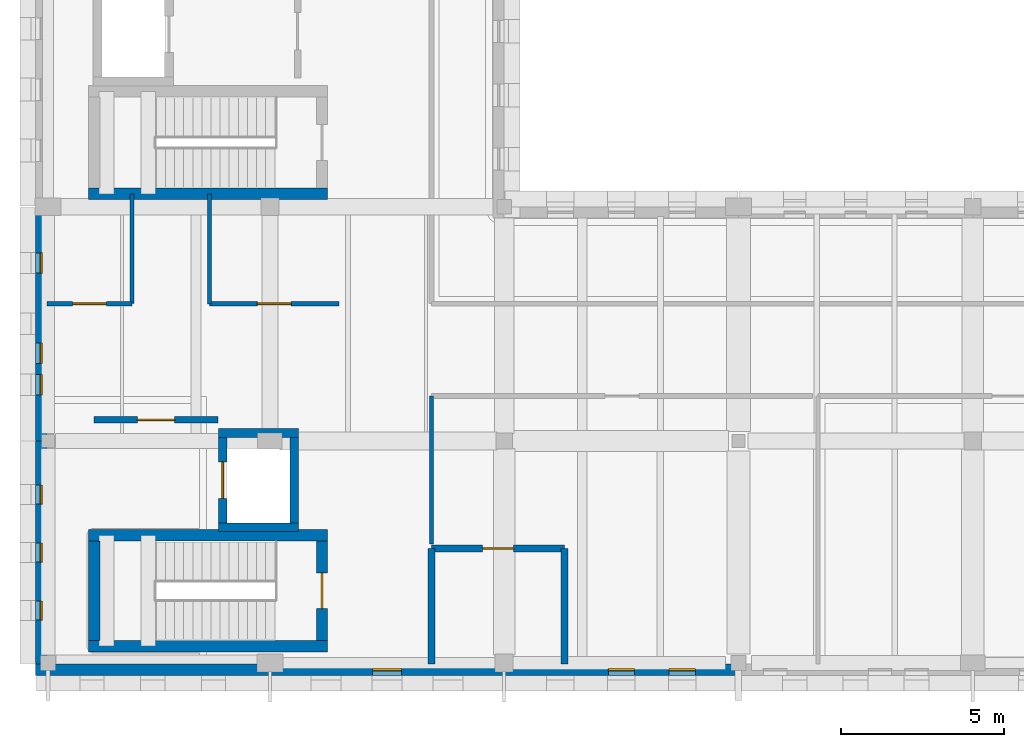
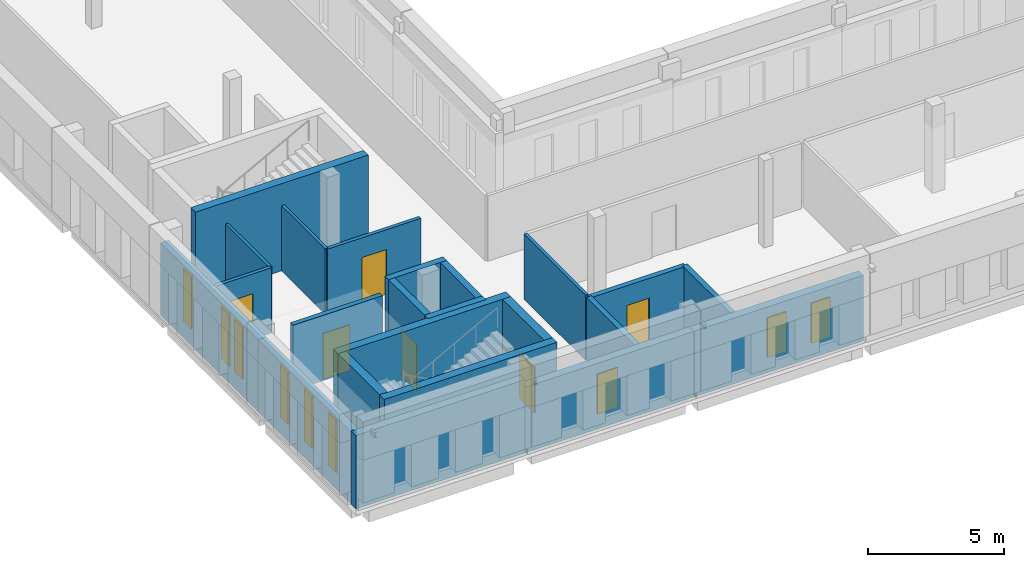
# One storey, part 19 of 34: 23 walls, 9 windows, 6 doors, 15 openings.
"""IFC4 building model written with IfcOpenShell, lengths in metres."""

from ifc_helpers import new_model, si_unit, direction, frame, frame_2d, origin, place, context, subcontext, project, spatial, rectangle, extrude, material, layer, layer_set, type_object, element, fill, save


model = new_model("IFC4")

# Units and contexts
model_context = context("Model", 3, precision=1e-05, world=origin(), true_north=direction((0.0, 1.0)))
body_context = subcontext(model_context, "Body", "Model", "MODEL_VIEW")
ifc_project = project(units=[si_unit("LENGTHUNIT", "METRE"), si_unit("AREAUNIT", "SQUARE_METRE"), si_unit("VOLUMEUNIT", "CUBIC_METRE"), si_unit("PLANEANGLEUNIT", "RADIAN"), si_unit("MASSUNIT", "GRAM", prefix="KILO")], contexts=[model_context])

# Site, building, storey
site_placement = place(None, origin())
site = spatial("IfcSite", under=ifc_project, at=site_placement, CompositionType="ELEMENT")
building_placement = place(site_placement, origin())
building = spatial("IfcBuilding", under=site, at=building_placement, Name="Vardoun Plaza Health Centre", CompositionType="ELEMENT")
storey_placement = place(building_placement, frame((0.0, 0.0, 12.89990234375)))
storey = spatial("IfcBuildingStorey", under=building, at=storey_placement, Name="L03", CompositionType="ELEMENT", Elevation=12.89990234375)

# Wall
ifc_material_1 = material(Name="Concrete C40/50", Category="concrete")
ifc_layer_1 = layer(ifc_material_1, 0.27001953125)
ifc_layer_set_1 = layer_set([ifc_layer_1], Name="Concrete C40/50")
wall_type_1 = type_object("IfcWallType", Name="SW-03", PredefinedType="SHEAR", material=ifc_layer_set_1)
wall_1_placement = place(storey_placement, frame((12.5849609375, 9.050048828125, 0.0), z_axis=(0.0, 0.0, 1.0), x_axis=(-1.0, 0.0, 0.0)))
element("IfcWall", 1, at=wall_1_placement, inside=storey, type_object=wall_type_1, Name="Lift LF-01 L03 Shaft Wall S", PredefinedType="SHEAR", context=body_context, shape_type="SweptSolid", body=[
    extrude(rectangle(XDim=2.469970703125, YDim=0.27001953125, at=frame_2d((1.23486328125, 0.0))), origin(), (0.0, 0.0, 1.0), 3.920166015625),
])

# Wall, opening, door
wall_2_placement = place(storey_placement, frame((10.25, 9.18505859375, 0.0), z_axis=(0.0, 0.0, 1.0), x_axis=(0.0, 1.0, 0.0)))
wall_2 = element("IfcWall", 2, at=wall_2_placement, inside=storey, type_object=wall_type_1, Name="Lift LF-01 L03 Shaft Wall W", PredefinedType="SHEAR", context=body_context, shape_type="SweptSolid", body=[
    extrude(rectangle(XDim=2.6298828125, YDim=0.27001953125, at=frame_2d((1.31494140625, 0.0))), origin(), (0.0, 0.0, 1.0), 3.920166015625),
])
opening_1_placement = place(wall_2_placement, frame((0.7548828125, 0.0, 0.0)))
opening_1 = element("IfcOpeningElement", 3, at=opening_1_placement, cuts=wall_2, Name="Opening LD-LF-01-L03", PredefinedType="OPENING", context=body_context, shape_type="SweptSolid", body=[
    extrude(rectangle(XDim=1.1201171875, YDim=2.10009765625, at=frame_2d((0.56005859375, 1.050048828125))), frame((0.0, 0.135009765625, 0.0), z_axis=(0.0, -1.0, 0.0), x_axis=(1.0, 0.0, 0.0)), (0.0, 0.0, 1.0), 0.27001953125),
])
ifc_material_2 = material(Name="Brushed Stainless Steel Grade 316L", Category="steel")
door_type_1 = type_object("IfcDoorType", Name="LD-01", OperationType="DOUBLE_DOOR_SLIDING", PredefinedType="DOOR", material=ifc_material_2)
door_1_placement = place(opening_1_placement, origin())
door_1 = element("IfcDoor", 4, at=door_1_placement, inside=storey, type_object=door_type_1, Name="Lift LF-01 L03 Sliding Landing Door", OperationType="DOUBLE_DOOR_SLIDING", OverallHeight=2.10009765625, OverallWidth=1.1201171875, PredefinedType="DOOR", context=body_context, shape_type="SweptSolid", body=[
    extrude(rectangle(XDim=1.1201171875, YDim=2.10009765625, at=frame_2d((0.56005859375, 1.050048828125))), frame((0.0, 0.02490234375, 0.0), z_axis=(0.0, -1.0, 0.0), x_axis=(1.0, 0.0, 0.0)), (0.0, 0.0, 1.0), 0.050048828125),
])
fill(opening_1, door_1)

# Walls
wall_3_placement = place(storey_placement, frame((10.114990234375, 11.949951171875, 0.0), z_axis=(0.0, 0.0, 1.0), x_axis=(1.0, 0.0, 0.0)))
element("IfcWall", 5, at=wall_3_placement, inside=storey, type_object=wall_type_1, Name="Lift LF-01 L03 Shaft Wall N", PredefinedType="SHEAR", context=body_context, shape_type="SweptSolid", body=[
    extrude(rectangle(XDim=2.469970703125, YDim=0.27001953125, at=frame_2d((1.23486328125, 0.0))), origin(), (0.0, 0.0, 1.0), 3.920166015625),
])
wall_4_placement = place(storey_placement, frame((12.449951171875, 11.81494140625, 0.0), z_axis=(0.0, 0.0, 1.0), x_axis=(0.0, -1.0, 0.0)))
element("IfcWall", 6, at=wall_4_placement, inside=storey, type_object=wall_type_1, Name="Lift LF-01 L03 Shaft Wall E", PredefinedType="SHEAR", context=body_context, shape_type="SweptSolid", body=[
    extrude(rectangle(XDim=2.6298828125, YDim=0.27001953125, at=frame_2d((1.31494140625, 0.0))), origin(), (0.0, 0.0, 1.0), 3.920166015625),
])
ifc_material_3 = material(Name="Concrete C40/50", Category="concrete")
ifc_layer_2 = layer(ifc_material_3, 0.35009765625)
ifc_layer_set_2 = layer_set([ifc_layer_2], Name="Concrete C40/50")
wall_type_2 = type_object("IfcWallType", Name="SW-02", PredefinedType="SHEAR", material=ifc_layer_set_2)
wall_5_placement = place(storey_placement, frame((13.47509765625, 5.39990234375, 0.0), z_axis=(0.0, 0.0, 1.0), x_axis=(-1.0, 0.0, 0.0)))
element("IfcWall", 7, at=wall_5_placement, inside=storey, type_object=wall_type_2, Name="Core C1 L03 Shear Wall S", PredefinedType="SHEAR", context=body_context, shape_type="SweptSolid", body=[
    extrude(rectangle(XDim=7.35009765625, YDim=0.35009765625, at=frame_2d((3.675048828125, 0.0))), origin(), (0.0, 0.0, 1.0), 3.920166015625),
])
wall_6_placement = place(storey_placement, frame((6.300048828125, 5.574951171875, 0.0), z_axis=(0.0, 0.0, 1.0), x_axis=(0.0, 1.0, 0.0)))
element("IfcWall", 8, at=wall_6_placement, inside=storey, type_object=wall_type_2, Name="Core C1 L03 Shear Wall W", PredefinedType="SHEAR", context=body_context, shape_type="SweptSolid", body=[
    extrude(rectangle(XDim=3.050048828125, YDim=0.35009765625, at=frame_2d((1.52490234375, 0.0))), origin(), (0.0, 0.0, 1.0), 3.920166015625),
])
wall_7_placement = place(storey_placement, frame((6.125, 8.800048828125, 0.0), z_axis=(0.0, 0.0, 1.0), x_axis=(1.0, 0.0, 0.0)))
element("IfcWall", 9, at=wall_7_placement, inside=storey, type_object=wall_type_2, Name="Core C1 L03 Shear Wall N", PredefinedType="SHEAR", context=body_context, shape_type="SweptSolid", body=[
    extrude(rectangle(XDim=7.35009765625, YDim=0.35009765625, at=frame_2d((3.675048828125, 0.0))), origin(), (0.0, 0.0, 1.0), 3.920166015625),
])

# Wall, opening, door
wall_8_placement = place(storey_placement, frame((13.300048828125, 8.625, 0.0), z_axis=(0.0, 0.0, 1.0), x_axis=(0.0, -1.0, 0.0)))
wall_8 = element("IfcWall", 10, at=wall_8_placement, inside=storey, type_object=wall_type_2, Name="Core C1 L03 Shear Wall E", PredefinedType="SHEAR", context=body_context, shape_type="SweptSolid", body=[
    extrude(rectangle(XDim=3.050048828125, YDim=0.35009765625, at=frame_2d((1.52490234375, 0.0))), origin(), (0.0, 0.0, 1.0), 3.920166015625),
])
opening_2_placement = place(wall_8_placement, frame((0.97509765625, 0.0, 0.0)))
opening_2 = element("IfcOpeningElement", 11, at=opening_2_placement, cuts=wall_8, Name="Opening SD-C1-L03", PredefinedType="OPENING", context=body_context, shape_type="SweptSolid", body=[
    extrude(rectangle(XDim=1.10009765625, YDim=2.050048828125, at=frame_2d((0.550048828125, 1.02490234375))), frame((0.0, 0.175048828125, 0.0), z_axis=(0.0, -1.0, 0.0), x_axis=(1.0, 0.0, 0.0)), (0.0, 0.0, 1.0), 0.35009765625),
])
ifc_material_4 = material(Name="Brushed Stainless Steel Grade 316L", Category="steel")
door_type_2 = type_object("IfcDoorType", Name="FD-01", OperationType="NOTDEFINED", PredefinedType="DOOR", material=ifc_material_4)
door_2_placement = place(opening_2_placement, origin())
door_2 = element("IfcDoor", 12, at=door_2_placement, inside=storey, type_object=door_type_2, Name="Stair C1 L03 Fire Door", OperationType="SINGLE_SWING_LEFT", OverallHeight=2.050048828125, OverallWidth=1.10009765625, PredefinedType="DOOR", context=body_context, shape_type="SweptSolid", body=[
    extrude(rectangle(XDim=1.10009765625, YDim=2.050048828125, at=frame_2d((0.550048828125, 1.02490234375))), frame((0.0, 0.02490234375, 0.0), z_axis=(0.0, -1.0, 0.0), x_axis=(1.0, 0.0, 0.0)), (0.0, 0.0, 1.0), 0.050048828125),
])
fill(opening_2, door_2)

# Wall
wall_9_placement = place(storey_placement, frame((13.47509765625, 19.300048828125, 0.0), z_axis=(0.0, 0.0, 1.0), x_axis=(-1.0, 0.0, 0.0)))
element("IfcWall", 13, at=wall_9_placement, inside=storey, type_object=wall_type_2, Name="Core C2 L03 Shear Wall S", PredefinedType="SHEAR", context=body_context, shape_type="SweptSolid", body=[
    extrude(rectangle(XDim=7.35009765625, YDim=0.35009765625, at=frame_2d((3.675048828125, 0.0))), origin(), (0.0, 0.0, 1.0), 3.920166015625),
])

# Wall, openings, windows
ifc_material_5 = material(Name="Pale Limestone Concrete C35/45", Category="masonry")
ifc_layer_3 = layer(ifc_material_5, 0.344970703125)
ifc_layer_set_3 = layer_set([ifc_layer_3], Name="Pale Limestone Concrete C35/45")
wall_type_3 = type_object("IfcWallType", Name="EW-01", PredefinedType="SOLIDWALL", material=ifc_layer_set_3)
wall_10_placement = place(storey_placement, frame((26.10009765625, 4.672607421875, 0.0), z_axis=(0.0, 0.0, 1.0), x_axis=(-1.0, 0.0, 0.0)))
wall_10 = element("IfcWall", 14, at=wall_10_placement, inside=storey, type_object=wall_type_3, Name="V2 L03 Exterior Wall EW-V2-168", PredefinedType="SOLIDWALL", context=body_context, shape_type="SweptSolid", body=[
    extrude(rectangle(XDim=7.2001953125, YDim=0.344970703125, at=frame_2d((3.60009765625, 0.0))), origin(), (0.0, 0.0, 1.0), 2.955078125),
])
opening_3_placement = place(wall_10_placement, frame((1.327880859375, 0.0, 0.550048828125)))
opening_3 = element("IfcOpeningElement", 15, at=opening_3_placement, cuts=wall_10, Name="Opening W-27-009", PredefinedType="OPENING", context=body_context, shape_type="SweptSolid", body=[
    extrude(rectangle(XDim=0.800048828125, YDim=1.800048828125, at=frame_2d((0.39990234375, 0.89990234375))), frame((0.0, 0.17236328125, 0.0), z_axis=(0.0, -1.0, 0.0), x_axis=(1.0, 0.0, 0.0)), (0.0, 0.0, 1.0), 0.344970703125),
])
opening_4_placement = place(wall_10_placement, frame((3.199951171875, 0.0, 0.550048828125)))
opening_4 = element("IfcOpeningElement", 16, at=opening_4_placement, cuts=wall_10, Name="Opening W-27-010", PredefinedType="OPENING", context=body_context, shape_type="SweptSolid", body=[
    extrude(rectangle(XDim=0.800048828125, YDim=1.800048828125, at=frame_2d((0.39990234375, 0.89990234375))), frame((0.0, 0.17236328125, 0.0), z_axis=(0.0, -1.0, 0.0), x_axis=(1.0, 0.0, 0.0)), (0.0, 0.0, 1.0), 0.344970703125),
])
ifc_material_6 = material(Name="Aluminium Alloy EN AW-6063-T6 and Low-E Glass", Category="aluminium")
window_type_1 = type_object("IfcWindowType", Name="W-27", PartitioningType="SINGLE_PANEL", PredefinedType="WINDOW", material=ifc_material_6)
window_1_placement = place(opening_3_placement, origin())
window_1 = element("IfcWindow", 17, at=window_1_placement, inside=storey, type_object=window_type_1, Name="V2 L03 Deep-Punched Slot Window W-27-212", OverallHeight=1.800048828125, OverallWidth=0.800048828125, PartitioningType="SINGLE_PANEL", PredefinedType="WINDOW", context=body_context, shape_type="SweptSolid", body=[
    extrude(rectangle(XDim=0.800048828125, YDim=1.800048828125, at=frame_2d((0.39990234375, 0.89990234375))), frame((0.0, 0.030029296875, 0.0), z_axis=(0.0, -1.0, 0.0), x_axis=(1.0, 0.0, 0.0)), (0.0, 0.0, 1.0), 0.06005859375),
])
fill(opening_3, window_1)
window_2_placement = place(opening_4_placement, origin())
window_2 = element("IfcWindow", 18, at=window_2_placement, inside=storey, type_object=window_type_1, Name="V2 L03 Deep-Punched Slot Window W-27-213", OverallHeight=1.800048828125, OverallWidth=0.800048828125, PartitioningType="SINGLE_PANEL", PredefinedType="WINDOW", context=body_context, shape_type="SweptSolid", body=[
    extrude(rectangle(XDim=0.800048828125, YDim=1.800048828125, at=frame_2d((0.39990234375, 0.89990234375))), frame((0.0, 0.030029296875, 0.0), z_axis=(0.0, -1.0, 0.0), x_axis=(1.0, 0.0, 0.0)), (0.0, 0.0, 1.0), 0.06005859375),
])
fill(opening_4, window_2)

# Wall, opening, window
wall_11_placement = place(storey_placement, frame((18.89990234375, 4.672607421875, 0.0), z_axis=(0.0, 0.0, 1.0), x_axis=(-1.0, 0.0, 0.0)))
wall_11 = element("IfcWall", 19, at=wall_11_placement, inside=storey, type_object=wall_type_3, Name="V2 L03 Exterior Wall EW-V2-169", PredefinedType="SOLIDWALL", context=body_context, shape_type="SweptSolid", body=[
    extrude(rectangle(XDim=7.199951171875, YDim=0.344970703125, at=frame_2d((3.60009765625, 0.0))), origin(), (0.0, 0.0, 1.0), 2.955078125),
])
opening_5_placement = place(wall_11_placement, frame((3.159912109375, 0.0, 0.550048828125)))
opening_5 = element("IfcOpeningElement", 20, at=opening_5_placement, cuts=wall_11, Name="Opening W-28-007", PredefinedType="OPENING", context=body_context, shape_type="SweptSolid", body=[
    extrude(rectangle(XDim=0.8798828125, YDim=1.800048828125, at=frame_2d((0.43994140625, 0.89990234375))), frame((0.0, 0.17236328125, 0.0), z_axis=(0.0, -1.0, 0.0), x_axis=(1.0, 0.0, 0.0)), (0.0, 0.0, 1.0), 0.344970703125),
])
ifc_material_7 = material(Name="Aluminium Alloy EN AW-6063-T6 and Low-E Glass", Category="aluminium")
window_type_2 = type_object("IfcWindowType", Name="W-28", PartitioningType="SINGLE_PANEL", PredefinedType="WINDOW", material=ifc_material_7)
window_3_placement = place(opening_5_placement, origin())
window_3 = element("IfcWindow", 21, at=window_3_placement, inside=storey, type_object=window_type_2, Name="V2 L03 Deep-Punched Slot Window W-28-216", OverallHeight=1.800048828125, OverallWidth=0.8798828125, PartitioningType="SINGLE_PANEL", PredefinedType="WINDOW", context=body_context, shape_type="SweptSolid", body=[
    extrude(rectangle(XDim=0.8798828125, YDim=1.800048828125, at=frame_2d((0.43994140625, 0.89990234375))), frame((0.0, 0.030029296875, 0.0), z_axis=(0.0, -1.0, 0.0), x_axis=(1.0, 0.0, 0.0)), (0.0, 0.0, 1.0), 0.06005859375),
])
fill(opening_5, window_3)

# Wall
wall_12_placement = place(storey_placement, frame((11.699951171875, 4.672607421875, 0.0), z_axis=(0.0, 0.0, 1.0), x_axis=(-1.0, 0.0, 0.0)))
element("IfcWall", 22, at=wall_12_placement, inside=storey, type_object=wall_type_3, Name="V2 L03 Exterior Wall EW-V2-170", PredefinedType="SOLIDWALL", context=body_context, shape_type="SweptSolid", body=[
    extrude(rectangle(XDim=7.199951171875, YDim=0.344970703125, at=frame_2d((3.60009765625, 0.0))), origin(), (0.0, 0.0, 1.0), 3.30517578125),
])

# Wall, openings, windows
wall_13_placement = place(storey_placement, frame((4.672607421875, 4.844970703125, 0.0), z_axis=(0.0, 0.0, 1.0), x_axis=(0.0, 1.0, 0.0)))
wall_13 = element("IfcWall", 23, at=wall_13_placement, inside=storey, type_object=wall_type_3, Name="V2 L03 Exterior Wall EW-V2-171", PredefinedType="SOLIDWALL", context=body_context, shape_type="SweptSolid", body=[
    extrude(rectangle(XDim=6.85498046875, YDim=0.344970703125, at=frame_2d((3.427490234375, 0.0))), origin(), (0.0, 0.0, 1.0), 3.255126953125),
])
opening_6_placement = place(wall_13_placement, frame((1.355224609375, 0.0, 0.550048828125)))
opening_6 = element("IfcOpeningElement", 24, at=opening_6_placement, cuts=wall_13, Name="Opening W-01-004", PredefinedType="OPENING", context=body_context, shape_type="SweptSolid", body=[
    extrude(rectangle(XDim=0.580078125, YDim=2.35009765625, at=frame_2d((0.2900390625, 1.175048828125))), frame((0.0, 0.17236328125, 0.0), z_axis=(0.0, -1.0, 0.0), x_axis=(1.0, 0.0, 0.0)), (0.0, 0.0, 1.0), 0.344970703125),
])
opening_7_placement = place(wall_13_placement, frame((3.137451171875, 0.0, 0.550048828125)))
opening_7 = element("IfcOpeningElement", 25, at=opening_7_placement, cuts=wall_13, Name="Opening W-01-005", PredefinedType="OPENING", context=body_context, shape_type="SweptSolid", body=[
    extrude(rectangle(XDim=0.580078125, YDim=2.35009765625, at=frame_2d((0.2900390625, 1.175048828125))), frame((0.0, 0.17236328125, 0.0), z_axis=(0.0, -1.0, 0.0), x_axis=(1.0, 0.0, 0.0)), (0.0, 0.0, 1.0), 0.344970703125),
])
opening_8_placement = place(wall_13_placement, frame((4.919921875, 0.0, 0.550048828125)))
opening_8 = element("IfcOpeningElement", 26, at=opening_8_placement, cuts=wall_13, Name="Opening W-01-006", PredefinedType="OPENING", context=body_context, shape_type="SweptSolid", body=[
    extrude(rectangle(XDim=0.580078125, YDim=2.35009765625, at=frame_2d((0.2900390625, 1.175048828125))), frame((0.0, 0.17236328125, 0.0), z_axis=(0.0, -1.0, 0.0), x_axis=(1.0, 0.0, 0.0)), (0.0, 0.0, 1.0), 0.344970703125),
])
ifc_material_8 = material(Name="Aluminium Alloy EN AW-6063-T6 and Low-E Glass", Category="aluminium")
window_type_3 = type_object("IfcWindowType", Name="W-01", PartitioningType="SINGLE_PANEL", PredefinedType="WINDOW", material=ifc_material_8)
window_4_placement = place(opening_6_placement, origin())
window_4 = element("IfcWindow", 27, at=window_4_placement, inside=storey, type_object=window_type_3, Name="V2 L03 Deep-Punched Slot Window W-01-221", OverallHeight=2.35009765625, OverallWidth=0.580078125, PartitioningType="SINGLE_PANEL", PredefinedType="WINDOW", context=body_context, shape_type="SweptSolid", body=[
    extrude(rectangle(XDim=0.580078125, YDim=2.35009765625, at=frame_2d((0.2900390625, 1.175048828125))), frame((0.0, 0.030029296875, 0.0), z_axis=(0.0, -1.0, 0.0), x_axis=(1.0, 0.0, 0.0)), (0.0, 0.0, 1.0), 0.06005859375),
])
fill(opening_6, window_4)
window_5_placement = place(opening_7_placement, origin())
window_5 = element("IfcWindow", 28, at=window_5_placement, inside=storey, type_object=window_type_3, Name="V2 L03 Deep-Punched Slot Window W-01-222", OverallHeight=2.35009765625, OverallWidth=0.580078125, PartitioningType="SINGLE_PANEL", PredefinedType="WINDOW", context=body_context, shape_type="SweptSolid", body=[
    extrude(rectangle(XDim=0.580078125, YDim=2.35009765625, at=frame_2d((0.2900390625, 1.175048828125))), frame((0.0, 0.030029296875, 0.0), z_axis=(0.0, -1.0, 0.0), x_axis=(1.0, 0.0, 0.0)), (0.0, 0.0, 1.0), 0.06005859375),
])
fill(opening_7, window_5)
window_6_placement = place(opening_8_placement, origin())
window_6 = element("IfcWindow", 29, at=window_6_placement, inside=storey, type_object=window_type_3, Name="V2 L03 Deep-Punched Slot Window W-01-223", OverallHeight=2.35009765625, OverallWidth=0.580078125, PartitioningType="SINGLE_PANEL", PredefinedType="WINDOW", context=body_context, shape_type="SweptSolid", body=[
    extrude(rectangle(XDim=0.580078125, YDim=2.35009765625, at=frame_2d((0.2900390625, 1.175048828125))), frame((0.0, 0.030029296875, 0.0), z_axis=(0.0, -1.0, 0.0), x_axis=(1.0, 0.0, 0.0)), (0.0, 0.0, 1.0), 0.06005859375),
])
fill(opening_8, window_6)

wall_14_placement = place(storey_placement, frame((4.672607421875, 11.699951171875, 0.0), z_axis=(0.0, 0.0, 1.0), x_axis=(0.0, 1.0, 0.0)))
wall_14 = element("IfcWall", 30, at=wall_14_placement, inside=storey, type_object=wall_type_3, Name="V2 L03 Exterior Wall EW-V2-172", PredefinedType="SOLIDWALL", context=body_context, shape_type="SweptSolid", body=[
    extrude(rectangle(XDim=7.199951171875, YDim=0.344970703125, at=frame_2d((3.60009765625, 0.0))), origin(), (0.0, 0.0, 1.0), 3.255126953125),
])
opening_9_placement = place(wall_14_placement, frame((1.41796875, 0.0, 0.550048828125)))
opening_9 = element("IfcOpeningElement", 31, at=opening_9_placement, cuts=wall_14, Name="Opening W-02-007", PredefinedType="OPENING", context=body_context, shape_type="SweptSolid", body=[
    extrude(rectangle(XDim=0.6201171875, YDim=2.35009765625, at=frame_2d((0.31005859375, 1.175048828125))), frame((0.0, 0.17236328125, 0.0), z_axis=(0.0, -1.0, 0.0), x_axis=(1.0, 0.0, 0.0)), (0.0, 0.0, 1.0), 0.344970703125),
])
opening_10_placement = place(wall_14_placement, frame((2.389892578125, 0.0, 0.550048828125)))
opening_10 = element("IfcOpeningElement", 32, at=opening_10_placement, cuts=wall_14, Name="Opening W-02-008", PredefinedType="OPENING", context=body_context, shape_type="SweptSolid", body=[
    extrude(rectangle(XDim=0.6201171875, YDim=2.35009765625, at=frame_2d((0.31005859375, 1.175048828125))), frame((0.0, 0.17236328125, 0.0), z_axis=(0.0, -1.0, 0.0), x_axis=(1.0, 0.0, 0.0)), (0.0, 0.0, 1.0), 0.344970703125),
])
opening_11_placement = place(wall_14_placement, frame((5.162109375, 0.0, 0.550048828125)))
opening_11 = element("IfcOpeningElement", 33, at=opening_11_placement, cuts=wall_14, Name="Opening W-02-009", PredefinedType="OPENING", context=body_context, shape_type="SweptSolid", body=[
    extrude(rectangle(XDim=0.6201171875, YDim=2.35009765625, at=frame_2d((0.31005859375, 1.175048828125))), frame((0.0, 0.17236328125, 0.0), z_axis=(0.0, -1.0, 0.0), x_axis=(1.0, 0.0, 0.0)), (0.0, 0.0, 1.0), 0.344970703125),
])
ifc_material_9 = material(Name="Aluminium Alloy EN AW-6063-T6 and Low-E Glass", Category="aluminium")
window_type_4 = type_object("IfcWindowType", Name="W-02", PartitioningType="SINGLE_PANEL", PredefinedType="WINDOW", material=ifc_material_9)
window_7_placement = place(opening_9_placement, origin())
window_7 = element("IfcWindow", 34, at=window_7_placement, inside=storey, type_object=window_type_4, Name="V2 L03 Deep-Punched Slot Window W-02-224", OverallHeight=2.35009765625, OverallWidth=0.6201171875, PartitioningType="SINGLE_PANEL", PredefinedType="WINDOW", context=body_context, shape_type="SweptSolid", body=[
    extrude(rectangle(XDim=0.6201171875, YDim=2.35009765625, at=frame_2d((0.31005859375, 1.175048828125))), frame((0.0, 0.030029296875, 0.0), z_axis=(0.0, -1.0, 0.0), x_axis=(1.0, 0.0, 0.0)), (0.0, 0.0, 1.0), 0.06005859375),
])
fill(opening_9, window_7)
window_8_placement = place(opening_10_placement, origin())
window_8 = element("IfcWindow", 35, at=window_8_placement, inside=storey, type_object=window_type_4, Name="V2 L03 Deep-Punched Slot Window W-02-225", OverallHeight=2.35009765625, OverallWidth=0.6201171875, PartitioningType="SINGLE_PANEL", PredefinedType="WINDOW", context=body_context, shape_type="SweptSolid", body=[
    extrude(rectangle(XDim=0.6201171875, YDim=2.35009765625, at=frame_2d((0.31005859375, 1.175048828125))), frame((0.0, 0.030029296875, 0.0), z_axis=(0.0, -1.0, 0.0), x_axis=(1.0, 0.0, 0.0)), (0.0, 0.0, 1.0), 0.06005859375),
])
fill(opening_10, window_8)
window_9_placement = place(opening_11_placement, origin())
window_9 = element("IfcWindow", 36, at=window_9_placement, inside=storey, type_object=window_type_4, Name="V2 L03 Deep-Punched Slot Window W-02-226", OverallHeight=2.35009765625, OverallWidth=0.6201171875, PartitioningType="SINGLE_PANEL", PredefinedType="WINDOW", context=body_context, shape_type="SweptSolid", body=[
    extrude(rectangle(XDim=0.6201171875, YDim=2.35009765625, at=frame_2d((0.31005859375, 1.175048828125))), frame((0.0, 0.030029296875, 0.0), z_axis=(0.0, -1.0, 0.0), x_axis=(1.0, 0.0, 0.0)), (0.0, 0.0, 1.0), 0.06005859375),
])
fill(opening_11, window_9)

# Wall, opening, door
ifc_material_10 = material(Name="Acoustic Gypsum Twin-Stud", Category="steel")
ifc_layer_4 = layer(ifc_material_10, 0.14990234375)
ifc_layer_set_4 = layer_set([ifc_layer_4], Name="Acoustic Gypsum Twin-Stud")
wall_type_4 = type_object("IfcWallType", Name="IW-04", PredefinedType="PARTITIONING", material=ifc_layer_set_4)
wall_15_placement = place(storey_placement, frame((13.830078125, 15.919921875, 0.0), z_axis=(0.0, 0.0, 1.0), x_axis=(-1.0, 0.0, 0.0)))
wall_15 = element("IfcWall", 37, at=wall_15_placement, inside=storey, type_object=wall_type_4, Name="Specialist Consulting Room 31 Partition Wall", PredefinedType="PARTITIONING", context=body_context, shape_type="SweptSolid", body=[
    extrude(rectangle(XDim=3.989990234375, YDim=0.14990234375, at=frame_2d((1.9951171875, 0.0))), origin(), (0.0, 0.0, 1.0), 2.940185546875),
])
opening_12_placement = place(wall_15_placement, frame((1.47509765625, 0.0, 0.0)))
opening_12 = element("IfcOpeningElement", 38, at=opening_12_placement, cuts=wall_15, Name="Opening D-L03-052", PredefinedType="OPENING", context=body_context, shape_type="SweptSolid", body=[
    extrude(rectangle(XDim=1.0400390625, YDim=2.050048828125, at=frame_2d((0.52001953125, 1.02490234375))), frame((0.0, 0.074951171875, 0.0), z_axis=(0.0, -1.0, 0.0), x_axis=(1.0, 0.0, 0.0)), (0.0, 0.0, 1.0), 0.14990234375),
])
ifc_material_11 = material(Name="Antimicrobial Acoustic Timber and Steel S275JR", Category="steel")
door_type_3 = type_object("IfcDoorType", Name="CD-04", OperationType="NOTDEFINED", PredefinedType="DOOR", material=ifc_material_11)
door_3_placement = place(opening_12_placement, origin())
door_3 = element("IfcDoor", 39, at=door_3_placement, inside=storey, type_object=door_type_3, Name="Specialist Consulting Room 31 Door D-L03-052", OperationType="SINGLE_SWING_RIGHT", OverallHeight=2.050048828125, OverallWidth=1.0400390625, PredefinedType="DOOR", context=body_context, shape_type="SweptSolid", body=[
    extrude(rectangle(XDim=1.0400390625, YDim=2.050048828125, at=frame_2d((0.52001953125, 1.02490234375))), frame((0.0, 0.02490234375, 0.0), z_axis=(0.0, -1.0, 0.0), x_axis=(1.0, 0.0, 0.0)), (0.0, 0.0, 1.0), 0.050048828125),
])
fill(opening_12, door_3)

wall_16_placement = place(storey_placement, frame((7.4599609375, 15.919921875, 0.0), z_axis=(0.0, 0.0, 1.0), x_axis=(-1.0, 0.0, 0.0)))
wall_16 = element("IfcWall", 40, at=wall_16_placement, inside=storey, type_object=wall_type_4, Name="Orthopaedic Cast and Fracture Room Partition Wall", PredefinedType="PARTITIONING", context=body_context, shape_type="SweptSolid", body=[
    extrude(rectangle(XDim=2.60986328125, YDim=0.14990234375, at=frame_2d((1.304931640625, 0.0))), origin(), (0.0, 0.0, 1.0), 2.940185546875),
])
opening_13_placement = place(wall_16_placement, frame((0.784912109375, 0.0, 0.0)))
opening_13 = element("IfcOpeningElement", 41, at=opening_13_placement, cuts=wall_16, Name="Opening D-L03-054", PredefinedType="OPENING", context=body_context, shape_type="SweptSolid", body=[
    extrude(rectangle(XDim=1.0400390625, YDim=2.050048828125, at=frame_2d((0.52001953125, 1.02490234375))), frame((0.0, 0.074951171875, 0.0), z_axis=(0.0, -1.0, 0.0), x_axis=(1.0, 0.0, 0.0)), (0.0, 0.0, 1.0), 0.14990234375),
])
door_4_placement = place(opening_13_placement, origin())
door_4 = element("IfcDoor", 42, at=door_4_placement, inside=storey, type_object=door_type_3, Name="Orthopaedic Cast and Fracture Room Door D-L03-054", OperationType="SINGLE_SWING_RIGHT", OverallHeight=2.050048828125, OverallWidth=1.0400390625, PredefinedType="DOOR", context=body_context, shape_type="SweptSolid", body=[
    extrude(rectangle(XDim=1.0400390625, YDim=2.050048828125, at=frame_2d((0.52001953125, 1.02490234375))), frame((0.0, 0.02490234375, 0.0), z_axis=(0.0, -1.0, 0.0), x_axis=(1.0, 0.0, 0.0)), (0.0, 0.0, 1.0), 0.050048828125),
])
fill(opening_13, door_4)

# Walls
ifc_material_12 = material(Name="Standard Clinical Sub-Partition", Category="steel")
ifc_layer_5 = layer(ifc_material_12, 0.125)
ifc_layer_set_5 = layer_set([ifc_layer_5], Name="Standard Clinical Sub-Partition")
wall_type_5 = type_object("IfcWallType", Name="IW-11", PredefinedType="PARTITIONING", material=ifc_layer_set_5)
for number, where, z_axis, x_axis, name in (
    (43, (9.840087890625, 15.919921875, 0.0), (0.0, 0.0, 1.0), (0.0, 1.0, 0.0), "Specialist Consulting Room 31 Enclosure Partition"),
    (44, (7.4599609375, 19.300048828125, 0.0), (0.0, 0.0, 1.0), (0.0, -1.0, 0.0), "Orthopaedic Cast and Fracture Room Enclosure Partition"),
):
    element("IfcWall", number, at=place(storey_placement, frame(where, z_axis=z_axis, x_axis=x_axis)), inside=storey, type_object=wall_type_5, Name=name, PredefinedType="PARTITIONING", context=body_context, shape_type="SweptSolid", body=[
        extrude(rectangle(XDim=3.380126953125, YDim=0.125, at=frame_2d((1.68994140625, 0.0))), origin(), (0.0, 0.0, 1.0), 2.940185546875),
    ])
wall_17_placement = place(storey_placement, frame((16.669921875, 8.541015625, 0.0), z_axis=(0.0, 0.0, 1.0), x_axis=(0.0, 1.0, 0.0)))
element("IfcWall", 45, at=wall_17_placement, inside=storey, type_object=wall_type_5, Name="Terrace Waiting Lounge L03 Enclosure Partition", PredefinedType="PARTITIONING", context=body_context, shape_type="SweptSolid", body=[
    extrude(rectangle(XDim=4.5390625, YDim=0.125, at=frame_2d((2.26953125, 0.0))), origin(), (0.0, 0.0, 1.0), 2.940185546875),
])

# Wall, opening, door
ifc_material_13 = material(Name="Concrete C35/45", Category="concrete")
ifc_layer_6 = layer(ifc_material_13, 0.199951171875)
ifc_layer_set_6 = layer_set([ifc_layer_6], Name="Concrete C35/45")
wall_type_6 = type_object("IfcWallType", Name="IW-01", PredefinedType="SOLIDWALL", material=ifc_layer_set_6)
wall_18_placement = place(storey_placement, frame((6.300048828125, 12.35009765625, 0.0), z_axis=(0.0, 0.0, 1.0), x_axis=(1.0, 0.0, 0.0)))
wall_18 = element("IfcWall", 46, at=wall_18_placement, inside=storey, type_object=wall_type_6, Name="Firefighting Lobby C1 L03 Wall", PredefinedType="SOLIDWALL", context=body_context, shape_type="SweptSolid", body=[
    extrude(rectangle(XDim=3.800048828125, YDim=0.199951171875, at=frame_2d((1.89990234375, 0.0))), origin(), (0.0, 0.0, 1.0), 2.940185546875),
])
opening_14_placement = place(wall_18_placement, frame((1.324951171875, 0.0, 0.0)))
opening_14 = element("IfcOpeningElement", 47, at=opening_14_placement, cuts=wall_18, Name="Opening FD-FF-C1-L03", PredefinedType="OPENING", context=body_context, shape_type="SweptSolid", body=[
    extrude(rectangle(XDim=1.14990234375, YDim=2.050048828125, at=frame_2d((0.574951171875, 1.02490234375))), frame((0.0, 0.10009765625, 0.0), z_axis=(0.0, -1.0, 0.0), x_axis=(1.0, 0.0, 0.0)), (0.0, 0.0, 1.0), 0.199951171875),
])
ifc_material_14 = material(Name="Antimicrobial Acoustic Timber and Steel S275JR", Category="steel")
door_type_4 = type_object("IfcDoorType", Name="FD-02", OperationType="NOTDEFINED", PredefinedType="DOOR", material=ifc_material_14)
door_5_placement = place(opening_14_placement, origin())
door_5 = element("IfcDoor", 48, at=door_5_placement, inside=storey, type_object=door_type_4, Name="Firefighting Lobby C1 L03 Fire Door", OperationType="SINGLE_SWING_RIGHT", OverallHeight=2.050048828125, OverallWidth=1.14990234375, PredefinedType="DOOR", context=body_context, shape_type="SweptSolid", body=[
    extrude(rectangle(XDim=1.14990234375, YDim=2.050048828125, at=frame_2d((0.574951171875, 1.02490234375))), frame((0.0, 0.02490234375, 0.0), z_axis=(0.0, -1.0, 0.0), x_axis=(1.0, 0.0, 0.0)), (0.0, 0.0, 1.0), 0.050048828125),
])
fill(opening_14, door_5)

ifc_material_15 = material(Name="Moisture-Resistant Plumbing Chase", Category="steel")
ifc_layer_7 = layer(ifc_material_15, 0.215087890625)
ifc_layer_set_7 = layer_set([ifc_layer_7], Name="Moisture-Resistant Plumbing Chase")
wall_type_7 = type_object("IfcWallType", Name="IW-06", PredefinedType="PLUMBINGWALL", material=ifc_layer_set_7)
wall_19_placement = place(storey_placement, frame((16.669921875, 8.40087890625, 0.0), z_axis=(0.0, 0.0, 1.0), x_axis=(1.0, 0.0, 0.0)))
wall_19 = element("IfcWall", 49, at=wall_19_placement, inside=storey, type_object=wall_type_7, Name="Accessible WC L03-V2 Partition Wall", PredefinedType="PLUMBINGWALL", context=body_context, shape_type="SweptSolid", body=[
    extrude(rectangle(XDim=4.08349609375, YDim=0.215087890625, at=frame_2d((2.041748046875, 0.0))), origin(), (0.0, 0.0, 1.0), 2.940185546875),
])
opening_15_placement = place(wall_19_placement, frame((1.566650390625, 0.0, 0.0)))
opening_15 = element("IfcOpeningElement", 50, at=opening_15_placement, cuts=wall_19, Name="Opening D-L03-051", PredefinedType="OPENING", context=body_context, shape_type="SweptSolid", body=[
    extrude(rectangle(XDim=0.949951171875, YDim=2.050048828125, at=frame_2d((0.47509765625, 1.02490234375))), frame((0.0, 0.107421875, 0.0), z_axis=(0.0, -1.0, 0.0), x_axis=(1.0, 0.0, 0.0)), (0.0, 0.0, 1.0), 0.215087890625),
])
ifc_material_16 = material(Name="Antimicrobial Acoustic Timber and Steel S275JR", Category="steel")
door_type_5 = type_object("IfcDoorType", Name="CD-07", OperationType="NOTDEFINED", PredefinedType="DOOR", material=ifc_material_16)
door_6_placement = place(opening_15_placement, origin())
door_6 = element("IfcDoor", 51, at=door_6_placement, inside=storey, type_object=door_type_5, Name="Accessible WC L03-V2 Door D-L03-051", OperationType="SINGLE_SWING_LEFT", OverallHeight=2.050048828125, OverallWidth=0.949951171875, PredefinedType="DOOR", context=body_context, shape_type="SweptSolid", body=[
    extrude(rectangle(XDim=0.949951171875, YDim=2.050048828125, at=frame_2d((0.47509765625, 1.02490234375))), frame((0.0, 0.02490234375, 0.0), z_axis=(0.0, -1.0, 0.0), x_axis=(1.0, 0.0, 0.0)), (0.0, 0.0, 1.0), 0.050048828125),
])
fill(opening_15, door_6)

# Walls
for number, where, z_axis, x_axis, name in (
    (52, (20.75341796875, 8.40087890625, 0.0), (0.0, 0.0, 1.0), (0.0, -1.0, 0.0), "Accessible WC L03-V2 Enclosure Partition"),
    (53, (16.669921875, 4.85009765625, 0.0), (0.0, 0.0, 1.0), (0.0, 1.0, 0.0), "Accessible WC L03-V2 Enclosure Partition"),
):
    element("IfcWall", number, at=place(storey_placement, frame(where, z_axis=z_axis, x_axis=x_axis)), inside=storey, type_object=wall_type_7, Name=name, PredefinedType="PLUMBINGWALL", context=body_context, shape_type="SweptSolid", body=[
        extrude(rectangle(XDim=3.55078125, YDim=0.215087890625, at=frame_2d((1.775390625, 0.0))), origin(), (0.0, 0.0, 1.0), 2.940185546875),
    ])

save(model, "model.ifc")
